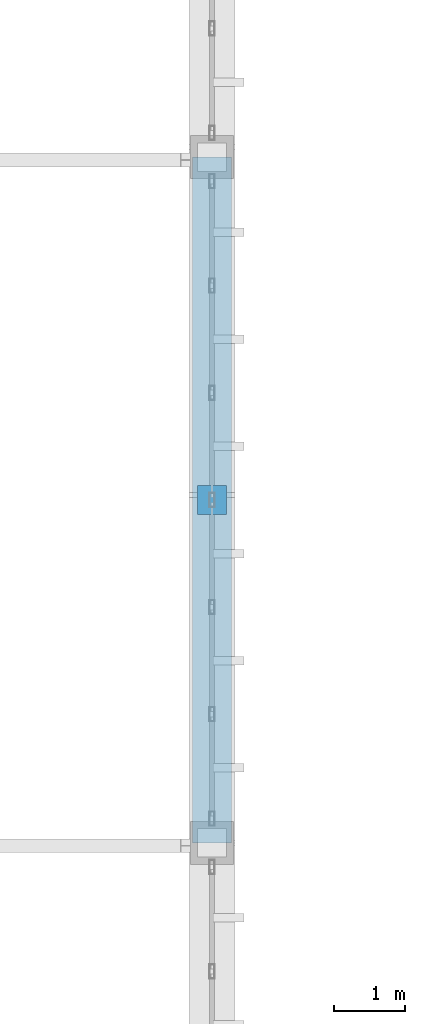
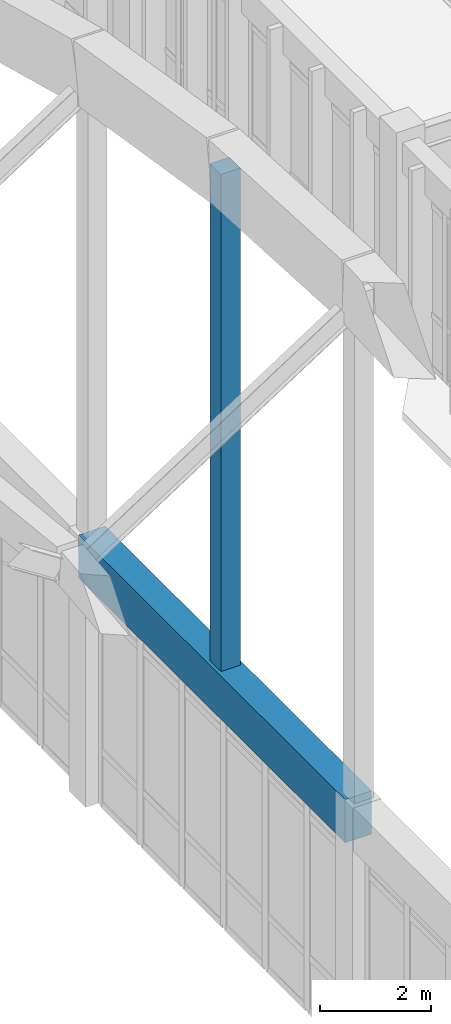
# One storey, part 141 of 236: 1 beam, 1 member.
"""IFC4 building model written with IfcOpenShell, lengths in metres."""

from ifc_helpers import new_model, si_unit, direction, frame, origin, origin_2d, place, context, subcontext, project, spatial, rectangle, extrude, material, material_profile, profile_set, type_object, element, save


model = new_model("IFC4")

# Units and contexts
model_context = context("Model", 3, precision=1e-05, world=origin(), true_north=direction((0.0, 1.0)))
body_context = subcontext(model_context, "Body", "Model", "MODEL_VIEW")
ifc_project = project(units=[si_unit("LENGTHUNIT", "METRE"), si_unit("AREAUNIT", "SQUARE_METRE"), si_unit("VOLUMEUNIT", "CUBIC_METRE"), si_unit("PLANEANGLEUNIT", "RADIAN"), si_unit("MASSUNIT", "GRAM", prefix="KILO")], contexts=[model_context])

# Site, building, storey
site_placement = place(None, origin())
site = spatial("IfcSite", under=ifc_project, at=site_placement, CompositionType="ELEMENT")
building_placement = place(site_placement, origin())
building = spatial("IfcBuilding", under=site, at=building_placement, Name="Pandanus Reach Market Hall", CompositionType="ELEMENT")
storey_placement = place(building_placement, frame((0.0, 0.0, 5.39990234375)))
storey = spatial("IfcBuildingStorey", under=building, at=storey_placement, Name="L01", CompositionType="ELEMENT", Elevation=5.39990234375)

# Member
ifc_material = material(Name="Concrete N50 (50 MPa)", Category="concrete")
ifc_material_profile_1 = material_profile(ifc_material, rectangle(XDim=0.39990234375, YDim=0.39990234375, at=origin_2d()), Name="RC400x400", Category="LoadBearing")
ifc_profile_set_1 = profile_set([ifc_material_profile_1], Name="Concrete N50 (50 MPa)")
member_type = type_object("IfcMemberType", Name="AR-WEB400-E", PredefinedType="STRUT", material=ifc_profile_set_1)
member_placement = place(storey_placement, frame((132.0, 62.39990234375, 5.3251953125), z_axis=(0.0, 0.0, 1.0), x_axis=(1.0, 0.0, 0.0)))
element("IfcMember", 1, at=member_placement, inside=storey, type_object=member_type, Name="Arch truss vertical web strut A8.7", PredefinedType="STRUT", context=body_context, shape_type="SweptSolid", body=[
    extrude(rectangle(XDim=0.39990234375, YDim=0.39990234375, at=origin_2d()), origin(), (0.0, 0.0, 1.0), 11.3994140625),
])

# Beam
ifc_material_profile_2 = material_profile(ifc_material, rectangle(XDim=0.550048828125, YDim=0.949951171875, at=origin_2d()), Name="RC550x950", Category="LoadBearing")
ifc_profile_set_2 = profile_set([ifc_material_profile_2], Name="Concrete N50 (50 MPa)")
beam_type = type_object("IfcBeamType", Name="BM-RC550-E", PredefinedType="BEAM", material=ifc_profile_set_2)
beam_placement = place(storey_placement, frame((132.0, 57.60009765625, 5.3251953125), z_axis=(0.0, 1.0, 0.0), x_axis=(-1.0, 0.0, 0.0)))
element("IfcBeam", 2, at=beam_placement, inside=storey, type_object=beam_type, Name="Parabolic arch tie girder A8.4", PredefinedType="BEAM", context=body_context, shape_type="SweptSolid", body=[
    extrude(rectangle(XDim=0.550048828125, YDim=0.949951171875, at=origin_2d()), origin(), (0.0, 0.0, 1.0), 9.599853515625),
])

save(model, "model.ifc")
